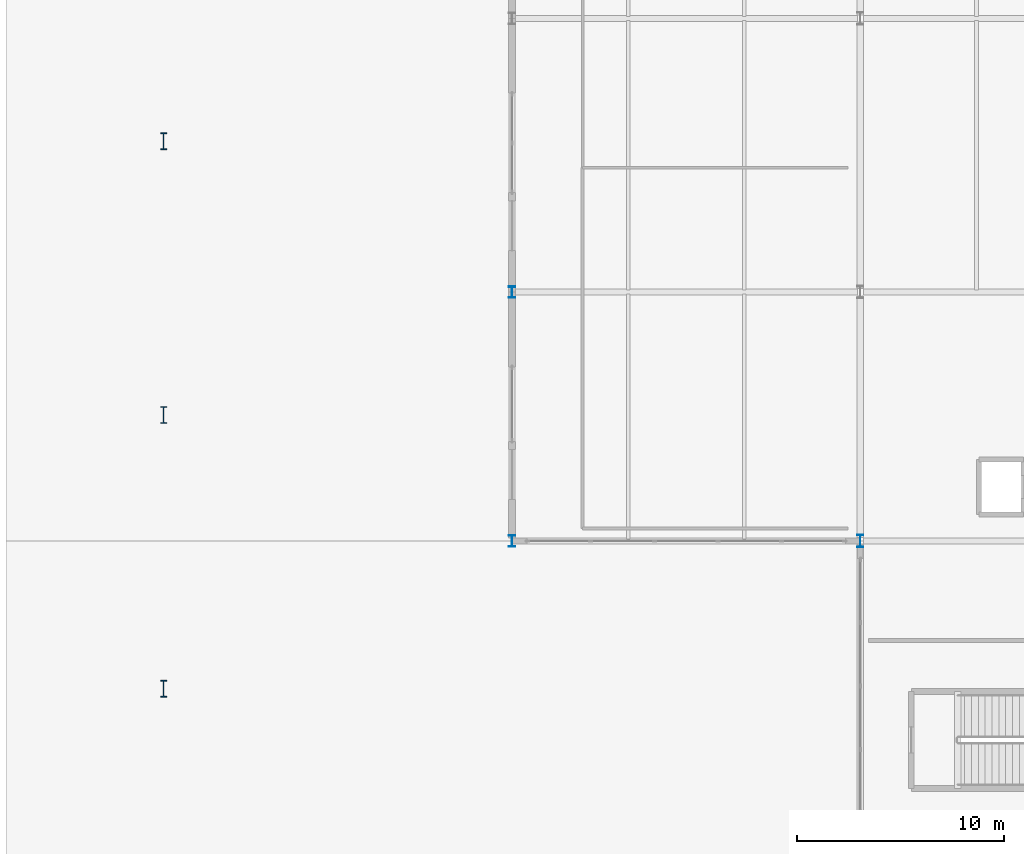
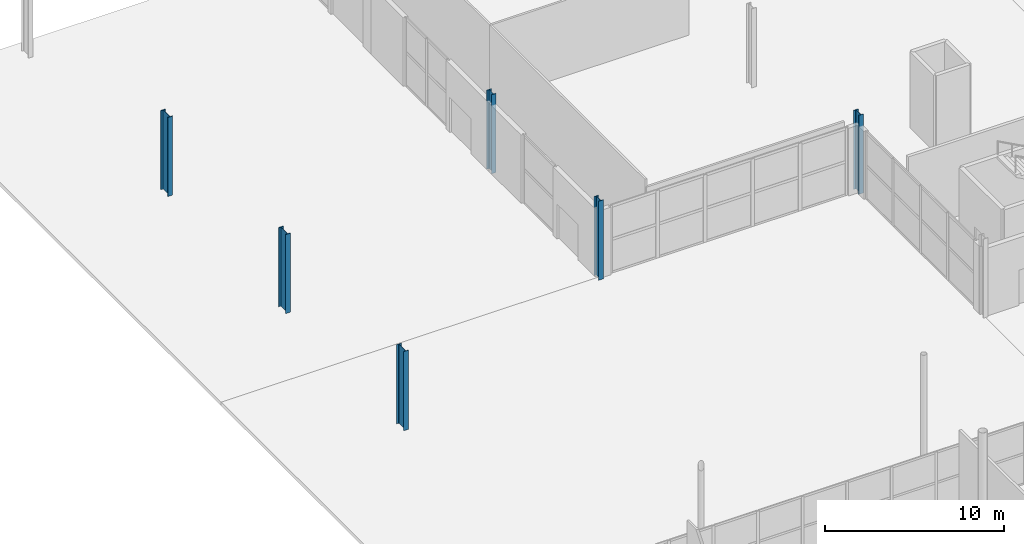
# One storey, part 3 of 87: 6 columns.
"""IFC4 building model written with IfcOpenShell, lengths in metres."""

import ifcopenshell
import ifcopenshell.guid

model = None  # the IFC model being written
_history = None  # IfcOwnerHistory: only IFC2X3 demands one
_inside = {}  # id of a spatial element -> (the spatial element, [elements in it])
_under = {}  # id of a project, library or spatial element -> (it, [spatial elements below it])
_declared = {}  # id of a project -> (the project, [libraries it declares])
_typed = {}  # id of a type object -> (the type object, [elements of that type])
_made_of = {}  # id of a material, layer set ... -> (it, [elements and type objects made of it])


def new_model(schema):
    """Start an empty IFC model of exactly this schema.

    Asked for "IFC4X3", IfcOpenShell would pick the latest addendum, in which some entities
    have other attributes; the version numbers below select the first issue.
    IFC2X3 requires an IfcOwnerHistory on every rooted entity: one is made here for all.
    """
    global model, _history
    if schema == "IFC4X3":
        model = ifcopenshell.file(schema_version=(4, 3, 0, 0))
    else:
        model = ifcopenshell.file(schema=schema)
    _inside.clear()
    _under.clear()
    _declared.clear()
    _typed.clear()
    _made_of.clear()
    _history = None
    if model.schema == "IFC2X3":
        org = make("IfcOrganization", Name="unknown")
        user = make(
            "IfcPersonAndOrganization",
            ThePerson=make("IfcPerson", FamilyName="unknown"),
            TheOrganization=org,
        )
        app = make(
            "IfcApplication",
            ApplicationDeveloper=org,
            Version="unknown",
            ApplicationFullName="unknown",
            ApplicationIdentifier="unknown",
        )
        _history = make(
            "IfcOwnerHistory",
            OwningUser=user,
            OwningApplication=app,
            ChangeAction="ADDED",
            CreationDate=0,
        )
    return model


def make(cls, **values):
    """One entity of the class cls with the attributes given. An attribute that is None is left unset."""
    return model.create_entity(
        cls, **{name: value for name, value in values.items() if value is not None}
    )


def rooted(cls, **values):
    """An entity with a GlobalId (a new one), such as an element, a storey or a relation."""
    return make(cls, GlobalId=ifcopenshell.guid.new(), OwnerHistory=_history, **values)


def si_unit(unit_type, name, prefix=None):
    """IfcSIUnit, for example si_unit("LENGTHUNIT", "METRE", prefix="MILLI")."""
    return make("IfcSIUnit", UnitType=unit_type, Prefix=prefix, Name=name)


def assignment(units):
    """IfcUnitAssignment: the units of a project."""
    return None if units is None else make("IfcUnitAssignment", Units=units)


def point(xyz):
    """IfcCartesianPoint."""
    return None if xyz is None else make("IfcCartesianPoint", Coordinates=xyz)


def direction(xyz):
    """IfcDirection."""
    return None if xyz is None else make("IfcDirection", DirectionRatios=xyz)


def frame(location, z_axis=None, x_axis=None):
    """IfcAxis2Placement3D, a coordinate frame: its origin and axes. An axis left out is left unset."""
    return make(
        "IfcAxis2Placement3D",
        Location=point(location),
        Axis=direction(z_axis),
        RefDirection=direction(x_axis),
    )


def frame_2d(location, x_axis=None):
    """IfcAxis2Placement2D, a coordinate frame in the plane: its origin and x axis."""
    return make(
        "IfcAxis2Placement2D", Location=point(location), RefDirection=direction(x_axis)
    )


def origin():
    """The frame at (0, 0, 0) with its axes left unset."""
    return frame((0.0, 0.0, 0.0))


def origin_2d():
    """The frame at (0, 0) in the plane with its x axis left unset."""
    return frame_2d((0.0, 0.0))


def place(relative_to, where):
    """IfcLocalPlacement: puts the frame where relative to a parent placement (None: the world)."""
    return make(
        "IfcLocalPlacement", PlacementRelTo=relative_to, RelativePlacement=where
    )


def context(
    kind, dimensions, precision=None, world=None, true_north=None, identifier=None
):
    """IfcGeometricRepresentationContext, for example the 3D "Model" context."""
    return make(
        "IfcGeometricRepresentationContext",
        ContextIdentifier=identifier,
        ContextType=kind,
        CoordinateSpaceDimension=dimensions,
        Precision=precision,
        WorldCoordinateSystem=world,
        TrueNorth=true_north,
    )


def subcontext(parent, identifier, kind, view, scale=None):
    """IfcGeometricRepresentationSubContext, for example "Body" below "Model"."""
    return make(
        "IfcGeometricRepresentationSubContext",
        ContextIdentifier=identifier,
        ContextType=kind,
        ParentContext=parent,
        TargetScale=scale,
        TargetView=view,
    )


def project(units=None, contexts=None):
    """IfcProject with its units and contexts."""
    return rooted(
        "IfcProject",
        Name="project",
        RepresentationContexts=contexts,
        UnitsInContext=assignment(units),
    )


def spatial(cls, under=None, at=None, **own):
    """A site, building, storey or space (cls), placed at a placement, below another one or the project."""
    s = rooted(cls, ObjectPlacement=at, **own)
    if under is not None:
        _under.setdefault(under.id(), (under, []))[1].append(s)
    return s


def profile(cls, at=None, kind="AREA", **sizes):
    """A parametric profile (cls). Its sizes go by their IFC names, for example OverallWidth=200.0."""
    return make(cls, ProfileType=kind, Position=at, **sizes)


def i_section(**sizes):
    """IfcIShapeProfileDef."""
    return profile("IfcIShapeProfileDef", **sizes)


def extrude(swept, where, along, depth):
    """IfcExtrudedAreaSolid: the profile swept, set in the frame where, extruded along a direction by depth."""
    return make(
        "IfcExtrudedAreaSolid",
        SweptArea=swept,
        Position=where,
        ExtrudedDirection=direction(along),
        Depth=depth,
    )


def shape(context_of_items, identifier, shape_type, items):
    """IfcShapeRepresentation: the items that make up one representation, for example the "Body"."""
    return make(
        "IfcShapeRepresentation",
        ContextOfItems=context_of_items,
        RepresentationIdentifier=identifier,
        RepresentationType=shape_type,
        Items=items,
    )


def material(Name=None, Category=None):
    """IfcMaterial."""
    return make("IfcMaterial", Name=Name, Category=Category)


def material_profile(
    of_material, cross_section, Name=None, Category=None, Priority=None
):
    """IfcMaterialProfile: a cross section and its material."""
    return make(
        "IfcMaterialProfile",
        Name=Name,
        Material=of_material,
        Profile=cross_section,
        Priority=Priority,
        Category=Category,
    )


def profile_set(profiles, Name=None, composite=None):
    """IfcMaterialProfileSet."""
    return make(
        "IfcMaterialProfileSet",
        Name=Name,
        MaterialProfiles=profiles,
        CompositeProfile=composite,
    )


def made_of(thing, what):
    """Note that an element or type object is made of a material, layer set ...; save() writes the relation."""
    if what is not None:
        _made_of.setdefault(what.id(), (what, []))[1].append(thing)
    return thing


def type_object(cls, material=None, **own):
    """A type object (cls), such as IfcWallType, which elements share."""
    return made_of(rooted(cls, **own), material)


def element(
    cls,
    number,
    at=None,
    inside=None,
    cuts=None,
    type_object=None,
    material=None,
    context=None,
    identifier="Body",
    shape_type=None,
    held_by="IfcProductDefinitionShape",
    body=None,
    shapes=None,
    **own,
):
    """One element of the class cls, such as IfcWall. Its Tag is "e" and its number.

    at: its placement. inside: the storey or other place that contains it. cuts: it is an
    opening in that element (IfcRelVoidsElement). A single representation is given by context,
    identifier, shape_type and body (its items); several are given by shapes. held_by: the class
    of the entity that holds the representations. save() writes the other relations.
    """
    e = rooted(cls, Tag="e%d" % number, ObjectPlacement=at, **own)
    if body is not None:
        shapes = [shape(context, identifier, shape_type, body)]
    if shapes is not None:
        e.Representation = make(held_by, Representations=shapes)
    if inside is not None:
        _inside.setdefault(inside.id(), (inside, []))[1].append(e)
    if cuts is not None:
        rooted(
            "IfcRelVoidsElement", RelatingBuildingElement=cuts, RelatedOpeningElement=e
        )
    if type_object is not None:
        _typed.setdefault(type_object.id(), (type_object, []))[1].append(e)
    return made_of(e, material)


def aggregate(whole, parts):
    """IfcRelAggregates: a whole, such as a stair, and the parts it consists of."""
    return rooted("IfcRelAggregates", RelatingObject=whole, RelatedObjects=parts)


def save(model, path):
    """Write the relations noted so far, then the file.

    IfcRelAggregates (storeys below a building ...), IfcRelContainedInSpatialStructure (elements
    in a storey), IfcRelDefinesByType, IfcRelAssociatesMaterial and IfcRelDeclares: one each for
    every whole, place, type object, material and project.
    """
    for whole, parts in _under.values():
        aggregate(whole, parts)
    for where, things in _inside.values():
        rooted(
            "IfcRelContainedInSpatialStructure",
            RelatedElements=things,
            RelatingStructure=where,
        )
    for kind, things in _typed.values():
        rooted("IfcRelDefinesByType", RelatedObjects=things, RelatingType=kind)
    for what, things in _made_of.values():
        rooted("IfcRelAssociatesMaterial", RelatedObjects=things, RelatingMaterial=what)
    for by, libraries in _declared.values():
        rooted("IfcRelDeclares", RelatingContext=by, RelatedDefinitions=libraries)
    model.write(path)


model = new_model("IFC4")

# Units and contexts
model_context = context("Model", 3, precision=1e-05, world=origin(), true_north=direction((0.0, 1.0)))
body_context = subcontext(model_context, "Body", "Model", "MODEL_VIEW")
ifc_project = project(units=[si_unit("LENGTHUNIT", "METRE"), si_unit("AREAUNIT", "SQUARE_METRE"), si_unit("VOLUMEUNIT", "CUBIC_METRE"), si_unit("PLANEANGLEUNIT", "RADIAN"), si_unit("MASSUNIT", "GRAM", prefix="KILO")], contexts=[model_context])

# Site, building, storey
site_placement = place(None, origin())
site = spatial("IfcSite", under=ifc_project, at=site_placement, CompositionType="ELEMENT")
building_placement = place(site_placement, origin())
building = spatial("IfcBuilding", under=site, at=building_placement, Name="Kimbaza Rail Terminus", CompositionType="ELEMENT")
storey_placement = place(building_placement, origin())
storey = spatial("IfcBuildingStorey", under=building, at=storey_placement, Name="L00", CompositionType="ELEMENT", Elevation=0.0)

# Columns
ifc_material_1 = material(Name="Steel S355", Category="steel")
ifc_material_profile_1 = material_profile(ifc_material_1, i_section(OverallWidth=0.300048828125, OverallDepth=0.550048828125, WebThickness=0.014892578125, FlangeThickness=0.029052734375, FilletRadius=0.027099609375, at=origin_2d()), Name="HEB 550")
ifc_profile_set_1 = profile_set([ifc_material_profile_1], Name="Steel S355")
column_type_1 = type_object("IfcColumnType", Name="STR-COL-HEB550", PredefinedType="COLUMN", material=ifc_profile_set_1)
for number, where, z_axis, x_axis, name in (
    (1, (38.39990234375, 55.0, 0.0), (0.0, 0.0, 1.0), (1.0, 0.0, 0.0), "Concourse Outer Wing Column L00"),
    (2, (38.39990234375, 67.0, 0.0), (0.0, 0.0, 1.0), (1.0, 0.0, 0.0), "Concourse Outer Wing Column L00"),
):
    element("IfcColumn", number, at=place(storey_placement, frame(where, z_axis=z_axis, x_axis=x_axis)), inside=storey, type_object=column_type_1, Name=name, PredefinedType="COLUMN", context=body_context, shape_type="SweptSolid", body=[
        extrude(i_section(OverallWidth=0.300048828125, OverallDepth=0.550048828125, WebThickness=0.014892578125, FlangeThickness=0.029052734375, FilletRadius=0.027099609375, at=origin_2d()), origin(), (0.0, 0.0, 1.0), 5.39990234375),
    ])
ifc_material_2 = material(Name="Steel S355", Category="steel")
ifc_material_profile_2 = material_profile(ifc_material_2, i_section(OverallWidth=0.300048828125, OverallDepth=0.60009765625, WebThickness=0.015380859375, FlangeThickness=0.030029296875, FilletRadius=0.027099609375, at=origin_2d()), Name="HEB 600")
ifc_profile_set_2 = profile_set([ifc_material_profile_2], Name="Steel S355")
column_type_2 = type_object("IfcColumnType", Name="STR-COL-HEB600", PredefinedType="COLUMN", material=ifc_profile_set_2)
column_placement = place(storey_placement, frame((55.199951171875, 55.0, 0.0), z_axis=(0.0, 0.0, 1.0), x_axis=(1.0, 0.0, 0.0)))
element("IfcColumn", 3, at=column_placement, inside=storey, type_object=column_type_2, Name="Ticket Hall Pier L00", PredefinedType="COLUMN", context=body_context, shape_type="SweptSolid", body=[
    extrude(i_section(OverallWidth=0.300048828125, OverallDepth=0.60009765625, WebThickness=0.015380859375, FlangeThickness=0.030029296875, FilletRadius=0.027099609375, at=origin_2d()), origin(), (0.0, 0.0, 1.0), 5.39990234375),
])
ifc_material_3 = material(Name="Steel S355", Category="steel")
ifc_material_profile_3 = material_profile(ifc_material_3, i_section(OverallWidth=0.302978515625, OverallDepth=0.81396484375, WebThickness=0.02099609375, FlangeThickness=0.0400390625, FilletRadius=0.030029296875, at=origin_2d()), Name="HEM 800")
ifc_profile_set_3 = profile_set([ifc_material_profile_3], Name="Steel S355")
column_type_3 = type_object("IfcColumnType", Name="STR-COL-HEM800", PredefinedType="COLUMN", material=ifc_profile_set_3)
for number, where, z_axis, x_axis, name in (
    (4, (21.60009765625, 47.8759765625, 0.0), (0.0, 0.0, 1.0), (1.0, 0.0, 0.0), "Viaduct Pier Column L00 VP-01"),
    (5, (21.60009765625, 61.075927734375, 0.0), (0.0, 0.0, 1.0), (1.0, 0.0, 0.0), "Viaduct Pier Column L00 VP-01"),
    (6, (21.60009765625, 74.27587890625, 0.0), (0.0, 0.0, 1.0), (1.0, 0.0, 0.0), "Viaduct Pier Column L00 VP-01"),
):
    element("IfcColumn", number, at=place(storey_placement, frame(where, z_axis=z_axis, x_axis=x_axis)), inside=storey, type_object=column_type_3, Name=name, PredefinedType="COLUMN", context=body_context, shape_type="SweptSolid", body=[
        extrude(i_section(OverallWidth=0.302978515625, OverallDepth=0.81396484375, WebThickness=0.02099609375, FlangeThickness=0.0400390625, FilletRadius=0.030029296875, at=origin_2d()), origin(), (0.0, 0.0, 1.0), 5.39990234375),
    ])

save(model, "model.ifc")
